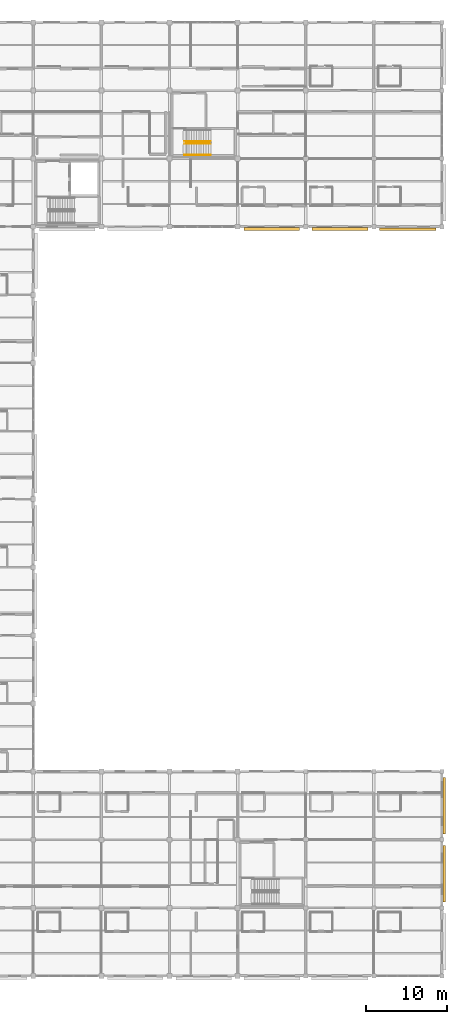
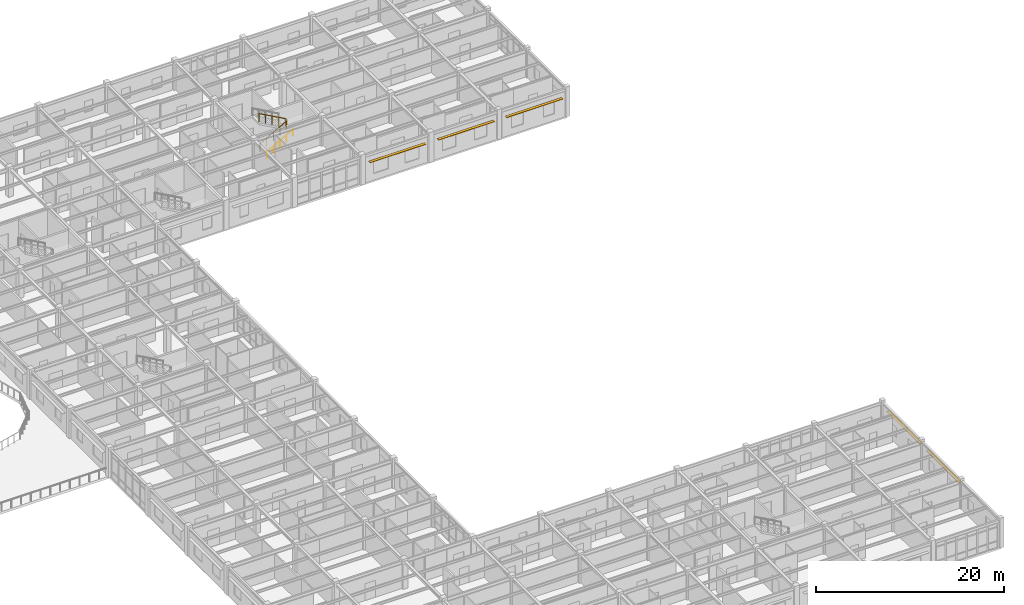
# One storey, part 84 of 86: 5 shading devices, 3 railings.
"""IFC4 building model written with IfcOpenShell, lengths in metres."""

from ifc_helpers import new_model, si_unit, direction, frame, origin, origin_2d, place, context, subcontext, project, spatial, rectangle, circle, extrude, material, material_profile, profile_set, type_object, element, save


model = new_model("IFC4")

# Units and contexts
model_context = context("Model", 3, precision=1e-05, world=origin(), true_north=direction((0.0, 1.0)))
body_context = subcontext(model_context, "Body", "Model", "MODEL_VIEW")
ifc_project = project(units=[si_unit("LENGTHUNIT", "METRE"), si_unit("AREAUNIT", "SQUARE_METRE"), si_unit("VOLUMEUNIT", "CUBIC_METRE"), si_unit("PLANEANGLEUNIT", "RADIAN"), si_unit("MASSUNIT", "GRAM", prefix="KILO")], contexts=[model_context])

# Site, building, storey
site_placement = place(None, origin())
site = spatial("IfcSite", under=ifc_project, at=site_placement, CompositionType="ELEMENT")
building_placement = place(site_placement, origin())
building = spatial("IfcBuilding", under=site, at=building_placement, Name="Bramfleet General Hospital", CompositionType="ELEMENT")
storey_placement = place(building_placement, frame((0.0, 0.0, 18.60009765625)))
storey = spatial("IfcBuildingStorey", under=building, at=storey_placement, Name="L04", CompositionType="ELEMENT", Elevation=18.60009765625)

# Railings
ifc_material_1 = material(Name="Powder-coated steel stair balustrade", Category="steel")
railing_type_1 = type_object("IfcRailingType", Name="RAIL-ST-GUARD", PredefinedType="GUARDRAIL", material=ifc_material_1)
railing_1_placement = place(storey_placement, frame((136.239990234375, 102.669921875, 0.162353515625)))
element("IfcRailing", 1, at=railing_1_placement, inside=storey, type_object=railing_type_1, Name="L04 ST-C9 stair guard 1", PredefinedType="GUARDRAIL", context=body_context, shape_type="SweptSolid", body=[
    extrude(circle(Radius=0.02392578125, at=origin_2d()), frame((0.0, 0.0, 1.076171875), z_axis=(0.875898504189, 0.0, 0.482495399314), x_axis=(0.0, 1.0, 0.0)), (0.0, 0.0, 1.0), 3.704833984375),
    extrude(circle(Radius=0.02099609375, at=origin_2d()), origin(), (0.0, 0.0, 1.0), 1.052001953125),
    extrude(circle(Radius=0.02099609375, at=origin_2d()), frame((0.811279296875, 0.0, 0.44677734375)), (0.0, 0.0, 1.0), 1.052001953125),
    extrude(circle(Radius=0.02099609375, at=origin_2d()), frame((1.62255859375, 0.0, 0.893798828125)), (0.0, 0.0, 1.0), 1.052001953125),
    extrude(circle(Radius=0.02099609375, at=origin_2d()), frame((2.433837890625, 0.0, 1.3408203125)), (0.0, 0.0, 1.0), 1.052001953125),
    extrude(circle(Radius=0.02099609375, at=origin_2d()), frame((3.2451171875, 0.0, 1.78759765625)), (0.0, 0.0, 1.0), 1.052001953125),
])
railing_2_placement = place(storey_placement, frame((139.485107421875, 102.929931640625, 2.1123046875)))
element("IfcRailing", 2, at=railing_2_placement, inside=storey, type_object=railing_type_1, Name="L04 ST-C9 stair guard 3", PredefinedType="GUARDRAIL", context=body_context, shape_type="SweptSolid", body=[
    extrude(circle(Radius=0.02392578125, at=origin_2d()), frame((0.0, 0.0, 1.076171875), z_axis=(-0.875898504189, 0.0, 0.482495399314), x_axis=(0.0, -1.0, 0.0)), (0.0, 0.0, 1.0), 3.704833984375),
    extrude(circle(Radius=0.02099609375, at=origin_2d()), origin(), (0.0, 0.0, 1.0), 1.052001953125),
    extrude(circle(Radius=0.02099609375, at=origin_2d()), frame((-0.811279296875, 0.0, 0.44677734375)), (0.0, 0.0, 1.0), 1.052001953125),
    extrude(circle(Radius=0.02099609375, at=origin_2d()), frame((-1.62255859375, 0.0, 0.893798828125)), (0.0, 0.0, 1.0), 1.052001953125),
    extrude(circle(Radius=0.02099609375, at=origin_2d()), frame((-2.433837890625, 0.0, 1.3408203125)), (0.0, 0.0, 1.0), 1.052001953125),
    extrude(circle(Radius=0.02099609375, at=origin_2d()), frame((-3.2451171875, 0.0, 1.78759765625)), (0.0, 0.0, 1.0), 1.052001953125),
])
ifc_material_2 = material(Name="Stainless steel 1.4301 stair handrail", Category="steel")
railing_type_2 = type_object("IfcRailingType", Name="RAIL-ST-HND", PredefinedType="HANDRAIL", material=ifc_material_2)
railing_3_placement = place(storey_placement, frame((136.239990234375, 101.27001953125, 0.162353515625)))
element("IfcRailing", 3, at=railing_3_placement, inside=storey, type_object=railing_type_2, Name="L04 ST-C9 stair handrail 1", PredefinedType="HANDRAIL", context=body_context, shape_type="SweptSolid", body=[
    extrude(circle(Radius=0.02392578125, at=origin_2d()), frame((0.0, 0.0, 0.8759765625), z_axis=(0.875898504189, 0.0, 0.482495399314), x_axis=(0.0, 1.0, 0.0)), (0.0, 0.0, 1.0), 3.704833984375),
    extrude(circle(Radius=0.02099609375, at=origin_2d()), origin(), (0.0, 0.0, 1.0), 0.851806640625),
    extrude(circle(Radius=0.02099609375, at=origin_2d()), frame((0.811279296875, 0.0, 0.44677734375)), (0.0, 0.0, 1.0), 0.851806640625),
    extrude(circle(Radius=0.02099609375, at=origin_2d()), frame((1.62255859375, 0.0, 0.893798828125)), (0.0, 0.0, 1.0), 0.851806640625),
    extrude(circle(Radius=0.02099609375, at=origin_2d()), frame((2.433837890625, 0.0, 1.3408203125)), (0.0, 0.0, 1.0), 0.851806640625),
    extrude(circle(Radius=0.02099609375, at=origin_2d()), frame((3.2451171875, 0.0, 1.78759765625)), (0.0, 0.0, 1.0), 0.851806640625),
])

# Shading devices
ifc_material_3 = material(Name="Anodised aluminium EN AW-6063", Category="aluminium")
ifc_material_profile = material_profile(ifc_material_3, rectangle(XDim=0.050048828125, YDim=0.35009765625, at=origin_2d()), Name="ALU LOUVRE 350x50")
ifc_profile_set = profile_set([ifc_material_profile], Name="Anodised aluminium EN AW-6063")
shading_device_type = type_object("IfcShadingDeviceType", Name="SHD-LVR-350", PredefinedType="USERDEFINED", material=ifc_profile_set)
shading_device_1_placement = place(storey_placement, frame((167.27490234375, 92.10009765625, 2.669921875), z_axis=(-1.0, 0.0, 0.0), x_axis=(0.0, 0.0, 1.0)))
element("IfcShadingDevice", 4, at=shading_device_1_placement, inside=storey, type_object=shading_device_type, Name="L04 Solar Shading Louvre 9", ObjectType="Louvre", PredefinedType="USERDEFINED", context=body_context, shape_type="SweptSolid", body=[
    extrude(rectangle(XDim=0.050048828125, YDim=0.35009765625, at=origin_2d()), origin(), (0.0, 0.0, 1.0), 6.949951171875),
])
shading_device_2_placement = place(storey_placement, frame((158.875, 92.107421875, 2.669921875), z_axis=(-1.0, 0.0, 0.0), x_axis=(0.0, 0.0, 1.0)))
element("IfcShadingDevice", 5, at=shading_device_2_placement, inside=storey, type_object=shading_device_type, Name="L04 Solar Shading Louvre 10", ObjectType="Louvre", PredefinedType="USERDEFINED", context=body_context, shape_type="SweptSolid", body=[
    extrude(rectangle(XDim=0.050048828125, YDim=0.35009765625, at=origin_2d()), origin(), (0.0, 0.0, 1.0), 6.89990234375),
])
shading_device_3_placement = place(storey_placement, frame((150.425048828125, 92.114990234375, 2.669921875), z_axis=(-1.0, 0.0, 0.0), x_axis=(0.0, 0.0, 1.0)))
element("IfcShadingDevice", 6, at=shading_device_3_placement, inside=storey, type_object=shading_device_type, Name="L04 Solar Shading Louvre 11", ObjectType="Louvre", PredefinedType="USERDEFINED", context=body_context, shape_type="SweptSolid", body=[
    extrude(rectangle(XDim=0.050048828125, YDim=0.35009765625, at=origin_2d()), origin(), (0.0, 0.0, 1.0), 6.85009765625),
])
shading_device_4_placement = place(storey_placement, frame((168.284912109375, 24.47509765625, 2.669921875), z_axis=(0.0, -1.0, 0.0), x_axis=(0.0, 0.0, 1.0)))
element("IfcShadingDevice", 7, at=shading_device_4_placement, inside=storey, type_object=shading_device_type, Name="L04 Solar Shading Louvre 20", ObjectType="Louvre", PredefinedType="USERDEFINED", context=body_context, shape_type="SweptSolid", body=[
    extrude(rectangle(XDim=0.050048828125, YDim=0.35009765625, at=origin_2d()), origin(), (0.0, 0.0, 1.0), 6.9501953125),
])
shading_device_5_placement = place(storey_placement, frame((168.277587890625, 16.074951171875, 2.669921875), z_axis=(0.0, -1.0, 0.0), x_axis=(0.0, 0.0, 1.0)))
element("IfcShadingDevice", 8, at=shading_device_5_placement, inside=storey, type_object=shading_device_type, Name="L04 Solar Shading Louvre 21", ObjectType="Louvre", PredefinedType="USERDEFINED", context=body_context, shape_type="SweptSolid", body=[
    extrude(rectangle(XDim=0.050048828125, YDim=0.35009765625, at=origin_2d()), origin(), (0.0, 0.0, 1.0), 6.949951171875),
])

save(model, "model.ifc")
